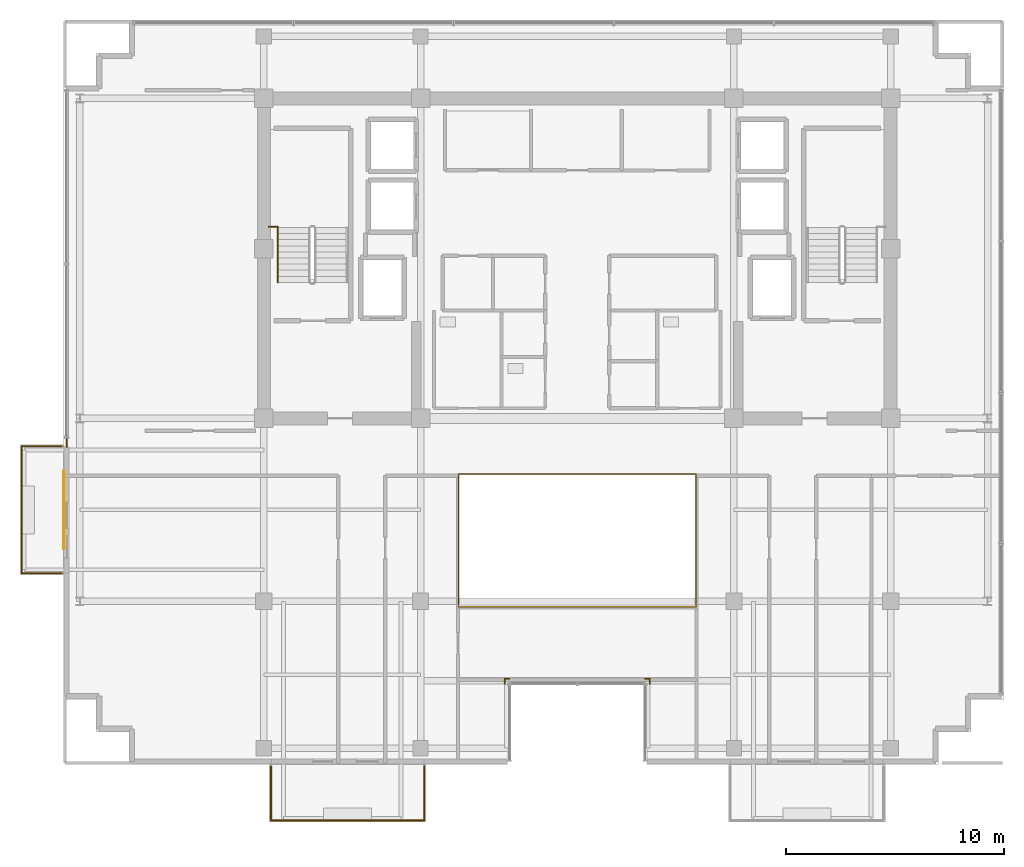
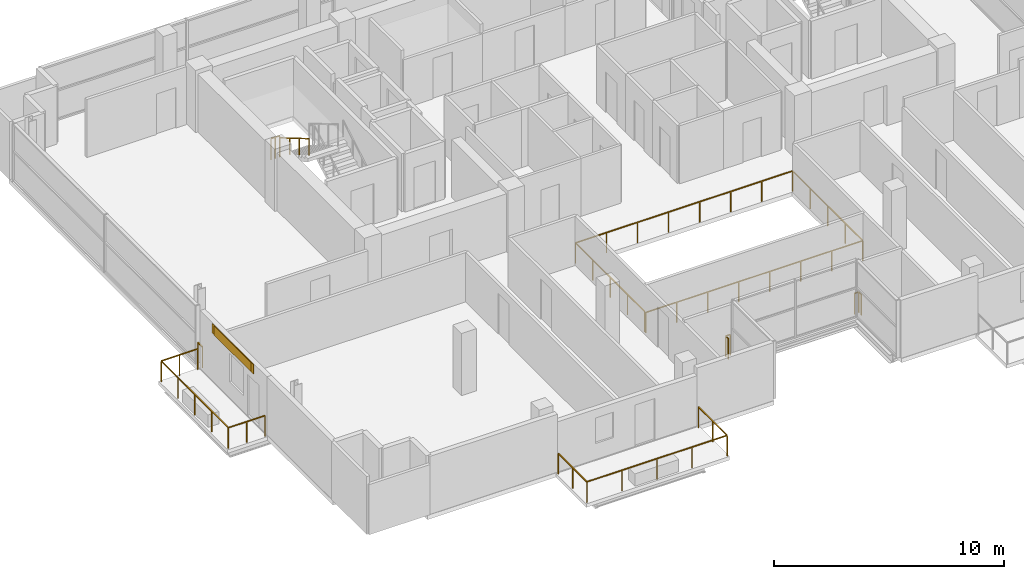
# One storey, part 19 of 22: 10 railings, 1 covering, 1 shading device.
"""IFC4 building model written with IfcOpenShell, lengths in metres."""

from ifc_helpers import new_model, si_unit, direction, frame, origin, origin_2d, place, context, subcontext, project, spatial, rectangle, extrude, source, transform, mapped, material, layer, layer_set, type_object, element, save


model = new_model("IFC4")

# Units and contexts
model_context = context("Model", 3, precision=1e-05, world=origin(), true_north=direction((0.0, 1.0)))
body_context = subcontext(model_context, "Body", "Model", "MODEL_VIEW")
ifc_project = project(units=[si_unit("LENGTHUNIT", "METRE"), si_unit("AREAUNIT", "SQUARE_METRE"), si_unit("VOLUMEUNIT", "CUBIC_METRE"), si_unit("PLANEANGLEUNIT", "RADIAN"), si_unit("MASSUNIT", "GRAM", prefix="KILO")], contexts=[model_context])

# Site, building, storey
site_placement = place(None, origin())
site = spatial("IfcSite", under=ifc_project, at=site_placement, CompositionType="ELEMENT")
building_placement = place(site_placement, origin())
building = spatial("IfcBuilding", under=site, at=building_placement, Name="Zarnakvel Exchange Tower", CompositionType="ELEMENT")
storey_placement = place(building_placement, frame((0.0, 0.0, 228.699951171875)))
storey = spatial("IfcBuildingStorey", under=building, at=storey_placement, Name="L64", CompositionType="ELEMENT", Elevation=228.699951171875)

# Railings
ifc_material_1 = material(Name="Architectural Bronze Anodised Aluminium", Category="aluminium")
railing_type_1 = type_object("IfcRailingType", Name="GR-02", PredefinedType="GUARDRAIL", material=ifc_material_1)
railing_1_placement = place(storey_placement, frame((-14.070068359375, -17.179931640625, -0.034912109375)))
element("IfcRailing", 1, at=railing_1_placement, inside=storey, type_object=railing_type_1, Name="L64 Balcony Guardrail BAL-L64-SW", PredefinedType="GUARDRAIL", context=body_context, shape_type="SweptSolid", body=[
    extrude(rectangle(XDim=0.048095703125, YDim=0.048095703125, at=origin_2d()), frame((0.0, 0.0, 1.09619140625), z_axis=(0.0, -1.0, 0.0), x_axis=(1.0, 0.0, 0.0)), (0.0, 0.0, 1.0), 2.489990234375),
    extrude(rectangle(XDim=0.048095703125, YDim=0.048095703125, at=origin_2d()), frame((0.0, -2.489990234375, 1.09619140625), z_axis=(1.0, 0.0, 0.0), x_axis=(0.0, 1.0, 0.0)), (0.0, 0.0, 1.0), 7.0400390625),
    extrude(rectangle(XDim=0.048095703125, YDim=0.048095703125, at=origin_2d()), frame((7.0400390625, -2.489990234375, 1.09619140625), z_axis=(0.0, 1.0, 0.0), x_axis=(-1.0, 0.0, 0.0)), (0.0, 0.0, 1.0), 2.489990234375),
    extrude(rectangle(XDim=0.0419921875, YDim=0.0419921875, at=origin_2d()), origin(), (0.0, 0.0, 1.0), 1.072021484375),
    extrude(rectangle(XDim=0.0419921875, YDim=0.0419921875, at=origin_2d()), frame((0.0, -1.2451171875, 0.0)), (0.0, 0.0, 1.0), 1.072021484375),
    extrude(rectangle(XDim=0.0419921875, YDim=0.0419921875, at=origin_2d()), frame((0.0, -2.489990234375, 0.0)), (0.0, 0.0, 1.0), 1.072021484375),
    extrude(rectangle(XDim=0.0419921875, YDim=0.0419921875, at=origin_2d()), frame((1.760009765625, -2.489990234375, 0.0)), (0.0, 0.0, 1.0), 1.072021484375),
    extrude(rectangle(XDim=0.0419921875, YDim=0.0419921875, at=origin_2d()), frame((3.52001953125, -2.489990234375, 0.0)), (0.0, 0.0, 1.0), 1.072021484375),
    extrude(rectangle(XDim=0.0419921875, YDim=0.0419921875, at=origin_2d()), frame((5.280029296875, -2.489990234375, 0.0)), (0.0, 0.0, 1.0), 1.072021484375),
    extrude(rectangle(XDim=0.0419921875, YDim=0.0419921875, at=origin_2d()), frame((7.0400390625, -2.489990234375, 0.0)), (0.0, 0.0, 1.0), 1.072021484375),
    extrude(rectangle(XDim=0.0419921875, YDim=0.0419921875, at=origin_2d()), frame((7.0400390625, -1.2451171875, 0.0)), (0.0, 0.0, 1.0), 1.072021484375),
    extrude(rectangle(XDim=0.0419921875, YDim=0.0419921875, at=origin_2d()), frame((7.0400390625, 0.0, 0.0)), (0.0, 0.0, 1.0), 1.072021484375),
])
railing_2_placement = place(storey_placement, frame((-23.679931640625, -8.320068359375, -0.034912109375)))
element("IfcRailing", 2, at=railing_2_placement, inside=storey, type_object=railing_type_1, Name="L64 Balcony Guardrail BAL-L64-W", PredefinedType="GUARDRAIL", context=body_context, shape_type="SweptSolid", body=[
    extrude(rectangle(XDim=0.048095703125, YDim=0.048095703125, at=origin_2d()), frame((0.0, 0.0, 1.09619140625), z_axis=(-1.0, 0.0, 0.0), x_axis=(0.0, -1.0, 0.0)), (0.0, 0.0, 1.0), 1.840087890625),
    extrude(rectangle(XDim=0.048095703125, YDim=0.048095703125, at=origin_2d()), frame((-1.840087890625, 0.0, 1.09619140625), z_axis=(0.0, 1.0, 0.0), x_axis=(-1.0, 0.0, 0.0)), (0.0, 0.0, 1.0), 5.840087890625),
    extrude(rectangle(XDim=0.048095703125, YDim=0.048095703125, at=origin_2d()), frame((-1.840087890625, 5.840087890625, 1.09619140625), z_axis=(1.0, 0.0, 0.0), x_axis=(0.0, 1.0, 0.0)), (0.0, 0.0, 1.0), 1.840087890625),
    extrude(rectangle(XDim=0.0419921875, YDim=0.0419921875, at=origin_2d()), origin(), (0.0, 0.0, 1.0), 1.072021484375),
    extrude(rectangle(XDim=0.0419921875, YDim=0.0419921875, at=origin_2d()), frame((-0.919921875, 0.0, 0.0)), (0.0, 0.0, 1.0), 1.072021484375),
    extrude(rectangle(XDim=0.0419921875, YDim=0.0419921875, at=origin_2d()), frame((-1.840087890625, 0.0, 0.0)), (0.0, 0.0, 1.0), 1.072021484375),
    extrude(rectangle(XDim=0.0419921875, YDim=0.0419921875, at=origin_2d()), frame((-1.840087890625, 1.4599609375, 0.0)), (0.0, 0.0, 1.0), 1.072021484375),
    extrude(rectangle(XDim=0.0419921875, YDim=0.0419921875, at=origin_2d()), frame((-1.840087890625, 2.919921875, 0.0)), (0.0, 0.0, 1.0), 1.072021484375),
    extrude(rectangle(XDim=0.0419921875, YDim=0.0419921875, at=origin_2d()), frame((-1.840087890625, 4.380126953125, 0.0)), (0.0, 0.0, 1.0), 1.072021484375),
    extrude(rectangle(XDim=0.0419921875, YDim=0.0419921875, at=origin_2d()), frame((-1.840087890625, 5.840087890625, 0.0)), (0.0, 0.0, 1.0), 1.072021484375),
    extrude(rectangle(XDim=0.0419921875, YDim=0.0419921875, at=origin_2d()), frame((-0.919921875, 5.840087890625, 0.0)), (0.0, 0.0, 1.0), 1.072021484375),
    extrude(rectangle(XDim=0.0419921875, YDim=0.0419921875, at=origin_2d()), frame((0.0, 5.840087890625, 0.0)), (0.0, 0.0, 1.0), 1.072021484375),
])
railing_3_placement = place(storey_placement, frame((-23.4599609375, -2.5, 0.0)))
element("IfcRailing", 3, at=railing_3_placement, inside=storey, type_object=railing_type_1, Name="L64 Corner Spandrel Balustrade #2", PredefinedType="GUARDRAIL", context=body_context, shape_type="SweptSolid", body=[
    extrude(rectangle(XDim=0.048095703125, YDim=0.048095703125, at=origin_2d()), frame((0.0, 0.0, 1.09619140625), z_axis=(0.0, 1.0, 0.0), x_axis=(-1.0, 0.0, 0.0)), (0.0, 0.0, 1.0), 0.39990234375),
    extrude(rectangle(XDim=0.0419921875, YDim=0.0419921875, at=origin_2d()), origin(), (0.0, 0.0, 1.0), 1.072021484375),
    extrude(rectangle(XDim=0.0419921875, YDim=0.0419921875, at=origin_2d()), frame((0.0, 0.39990234375, 0.0)), (0.0, 0.0, 1.0), 1.072021484375),
])
railing_4_placement = place(storey_placement, frame((3.340087890625, -13.3798828125, 0.0)))
element("IfcRailing", 4, at=railing_4_placement, inside=storey, type_object=railing_type_1, Name="L64 Corner Spandrel Balustrade #17", PredefinedType="GUARDRAIL", context=body_context, shape_type="SweptSolid", body=[
    extrude(rectangle(XDim=0.048095703125, YDim=0.048095703125, at=origin_2d()), frame((0.0, 0.0, 1.09619140625), z_axis=(0.0, 1.0, 0.0), x_axis=(-1.0, 0.0, 0.0)), (0.0, 0.0, 1.0), 0.219970703125),
    extrude(rectangle(XDim=0.0419921875, YDim=0.0419921875, at=origin_2d()), origin(), (0.0, 0.0, 1.0), 1.072021484375),
    extrude(rectangle(XDim=0.0419921875, YDim=0.0419921875, at=origin_2d()), frame((0.0, 0.219970703125, 0.0)), (0.0, 0.0, 1.0), 1.072021484375),
])
for number, where, name in (
    (5, (3.340087890625, -13.159912109375, 0.0), "L64 Corner Spandrel Balustrade #18"),
    (6, (-3.1201171875, -13.159912109375, 0.0), "L64 Corner Spandrel Balustrade #19"),
):
    element("IfcRailing", number, at=place(storey_placement, frame(where)), inside=storey, type_object=railing_type_1, Name=name, PredefinedType="GUARDRAIL", context=body_context, shape_type="SweptSolid", body=[
        extrude(rectangle(XDim=0.048095703125, YDim=0.048095703125, at=origin_2d()), frame((0.0, 0.0, 1.09619140625), z_axis=(-1.0, 0.0, 0.0), x_axis=(0.0, -1.0, 0.0)), (0.0, 0.0, 1.0), 0.219970703125),
        extrude(rectangle(XDim=0.0419921875, YDim=0.0419921875, at=origin_2d()), origin(), (0.0, 0.0, 1.0), 1.072021484375),
        extrude(rectangle(XDim=0.0419921875, YDim=0.0419921875, at=origin_2d()), frame((-0.219970703125, 0.0, 0.0)), (0.0, 0.0, 1.0), 1.072021484375),
    ])
railing_5_placement = place(storey_placement, frame((-3.340087890625, -13.159912109375, 0.0)))
element("IfcRailing", 7, at=railing_5_placement, inside=storey, type_object=railing_type_1, Name="L64 Corner Spandrel Balustrade #20", PredefinedType="GUARDRAIL", context=body_context, shape_type="SweptSolid", body=[
    extrude(rectangle(XDim=0.048095703125, YDim=0.048095703125, at=origin_2d()), frame((0.0, 0.0, 1.09619140625), z_axis=(0.0, -1.0, 0.0), x_axis=(1.0, 0.0, 0.0)), (0.0, 0.0, 1.0), 0.219970703125),
    extrude(rectangle(XDim=0.0419921875, YDim=0.0419921875, at=origin_2d()), origin(), (0.0, 0.0, 1.0), 1.072021484375),
    extrude(rectangle(XDim=0.0419921875, YDim=0.0419921875, at=origin_2d()), frame((0.0, -0.219970703125, 0.0)), (0.0, 0.0, 1.0), 1.072021484375),
])
railing_type_2 = type_object("IfcRailingType", Name="GR-03", PredefinedType="GUARDRAIL", material=ifc_material_1)
railing_6_placement = place(storey_placement, frame((-5.449951171875, -9.85009765625, 0.0)))
element("IfcRailing", 8, at=railing_6_placement, inside=storey, type_object=railing_type_2, Name="L64 Atrium Void Perimeter Balustrade", PredefinedType="GUARDRAIL", context=body_context, shape_type="SweptSolid", body=[
    extrude(rectangle(XDim=0.048095703125, YDim=0.048095703125, at=origin_2d()), frame((0.0, 0.0, 1.076171875), z_axis=(1.0, 0.0, 0.0), x_axis=(0.0, 1.0, 0.0)), (0.0, 0.0, 1.0), 10.89990234375),
    extrude(rectangle(XDim=0.048095703125, YDim=0.048095703125, at=origin_2d()), frame((10.89990234375, 0.0, 1.076171875), z_axis=(0.0, 1.0, 0.0), x_axis=(-1.0, 0.0, 0.0)), (0.0, 0.0, 1.0), 6.10009765625),
    extrude(rectangle(XDim=0.048095703125, YDim=0.048095703125, at=origin_2d()), frame((10.89990234375, 6.10009765625, 1.076171875), z_axis=(-1.0, 0.0, 0.0), x_axis=(0.0, -1.0, 0.0)), (0.0, 0.0, 1.0), 10.89990234375),
    extrude(rectangle(XDim=0.048095703125, YDim=0.048095703125, at=origin_2d()), frame((0.0, 6.10009765625, 1.076171875), z_axis=(0.0, -1.0, 0.0), x_axis=(1.0, 0.0, 0.0)), (0.0, 0.0, 1.0), 6.02001953125),
    extrude(rectangle(XDim=0.0419921875, YDim=0.0419921875, at=origin_2d()), origin(), (0.0, 0.0, 1.0), 1.052001953125),
    extrude(rectangle(XDim=0.0419921875, YDim=0.0419921875, at=origin_2d()), frame((1.55712890625, 0.0, 0.0)), (0.0, 0.0, 1.0), 1.052001953125),
    extrude(rectangle(XDim=0.0419921875, YDim=0.0419921875, at=origin_2d()), frame((3.1142578125, 0.0, 0.0)), (0.0, 0.0, 1.0), 1.052001953125),
    extrude(rectangle(XDim=0.0419921875, YDim=0.0419921875, at=origin_2d()), frame((4.67138671875, 0.0, 0.0)), (0.0, 0.0, 1.0), 1.052001953125),
    extrude(rectangle(XDim=0.0419921875, YDim=0.0419921875, at=origin_2d()), frame((6.228515625, 0.0, 0.0)), (0.0, 0.0, 1.0), 1.052001953125),
    extrude(rectangle(XDim=0.0419921875, YDim=0.0419921875, at=origin_2d()), frame((7.78564453125, 0.0, 0.0)), (0.0, 0.0, 1.0), 1.052001953125),
    extrude(rectangle(XDim=0.0419921875, YDim=0.0419921875, at=origin_2d()), frame((9.3427734375, 0.0, 0.0)), (0.0, 0.0, 1.0), 1.052001953125),
    extrude(rectangle(XDim=0.0419921875, YDim=0.0419921875, at=origin_2d()), frame((10.89990234375, 0.0, 0.0)), (0.0, 0.0, 1.0), 1.052001953125),
    extrude(rectangle(XDim=0.0419921875, YDim=0.0419921875, at=origin_2d()), frame((10.89990234375, 1.52490234375, 0.0)), (0.0, 0.0, 1.0), 1.052001953125),
    extrude(rectangle(XDim=0.0419921875, YDim=0.0419921875, at=origin_2d()), frame((10.89990234375, 3.050048828125, 0.0)), (0.0, 0.0, 1.0), 1.052001953125),
    extrude(rectangle(XDim=0.0419921875, YDim=0.0419921875, at=origin_2d()), frame((10.89990234375, 4.5751953125, 0.0)), (0.0, 0.0, 1.0), 1.052001953125),
    extrude(rectangle(XDim=0.0419921875, YDim=0.0419921875, at=origin_2d()), frame((10.89990234375, 6.10009765625, 0.0)), (0.0, 0.0, 1.0), 1.052001953125),
    extrude(rectangle(XDim=0.0419921875, YDim=0.0419921875, at=origin_2d()), frame((9.3427734375, 6.10009765625, 0.0)), (0.0, 0.0, 1.0), 1.052001953125),
    extrude(rectangle(XDim=0.0419921875, YDim=0.0419921875, at=origin_2d()), frame((7.78564453125, 6.10009765625, 0.0)), (0.0, 0.0, 1.0), 1.052001953125),
    extrude(rectangle(XDim=0.0419921875, YDim=0.0419921875, at=origin_2d()), frame((6.228515625, 6.10009765625, 0.0)), (0.0, 0.0, 1.0), 1.052001953125),
    extrude(rectangle(XDim=0.0419921875, YDim=0.0419921875, at=origin_2d()), frame((4.67138671875, 6.10009765625, 0.0)), (0.0, 0.0, 1.0), 1.052001953125),
    extrude(rectangle(XDim=0.0419921875, YDim=0.0419921875, at=origin_2d()), frame((3.1142578125, 6.10009765625, 0.0)), (0.0, 0.0, 1.0), 1.052001953125),
    extrude(rectangle(XDim=0.0419921875, YDim=0.0419921875, at=origin_2d()), frame((1.55712890625, 6.10009765625, 0.0)), (0.0, 0.0, 1.0), 1.052001953125),
    extrude(rectangle(XDim=0.0419921875, YDim=0.0419921875, at=origin_2d()), frame((0.0, 6.10009765625, 0.0)), (0.0, 0.0, 1.0), 1.052001953125),
    extrude(rectangle(XDim=0.0419921875, YDim=0.0419921875, at=origin_2d()), frame((0.0, 4.59521484375, 0.0)), (0.0, 0.0, 1.0), 1.052001953125),
    extrude(rectangle(XDim=0.0419921875, YDim=0.0419921875, at=origin_2d()), frame((0.0, 3.090087890625, 0.0)), (0.0, 0.0, 1.0), 1.052001953125),
    extrude(rectangle(XDim=0.0419921875, YDim=0.0419921875, at=origin_2d()), frame((0.0, 1.5849609375, 0.0)), (0.0, 0.0, 1.0), 1.052001953125),
    extrude(rectangle(XDim=0.0419921875, YDim=0.0419921875, at=origin_2d()), frame((0.0, 0.080078125, 0.0)), (0.0, 0.0, 1.0), 1.052001953125),
])
ifc_material_2 = material(Name="Brushed Stainless Steel", Category="steel")
railing_type_3 = type_object("IfcRailingType", Name="HR-01", PredefinedType="HANDRAIL", material=ifc_material_2)
railing_7_placement = place(storey_placement, frame((-13.75, 7.570068359375, 1.81494140625)))
element("IfcRailing", 9, at=railing_7_placement, inside=storey, type_object=railing_type_3, Name="L64 ST-01 stair handrail 2", PredefinedType="HANDRAIL", context=body_context, shape_type="SweptSolid", body=[
    extrude(rectangle(XDim=0.048095703125, YDim=0.048095703125, at=origin_2d()), frame((0.0, 0.0, 0.8759765625), z_axis=(0.0, -0.86152411907, 0.507716645641), x_axis=(1.0, 0.0, 0.0)), (0.0, 0.0, 1.0), 2.925048828125),
    extrude(rectangle(XDim=0.0419921875, YDim=0.0419921875, at=origin_2d()), origin(), (0.0, 0.0, 1.0), 0.851806640625),
    extrude(rectangle(XDim=0.0419921875, YDim=0.0419921875, at=origin_2d()), frame((0.0, -0.840087890625, 0.4951171875)), (0.0, 0.0, 1.0), 0.851806640625),
    extrude(rectangle(XDim=0.0419921875, YDim=0.0419921875, at=origin_2d()), frame((0.0, -1.679931640625, 0.989990234375)), (0.0, 0.0, 1.0), 0.851806640625),
    extrude(rectangle(XDim=0.0419921875, YDim=0.0419921875, at=origin_2d()), frame((0.0, -2.52001953125, 1.485107421875)), (0.0, 0.0, 1.0), 0.851806640625),
])
railing_type_4 = type_object("IfcRailingType", Name="SG-01", PredefinedType="GUARDRAIL", material=ifc_material_1)
railing_8_placement = place(storey_placement, frame((-14.179931640625, 7.610107421875, 1.650146484375)))
element("IfcRailing", 10, at=railing_8_placement, inside=storey, type_object=railing_type_4, Name="L64 ST-01 Landing Slot Guardrail", PredefinedType="GUARDRAIL", context=body_context, shape_type="SweptSolid", body=[
    extrude(rectangle(XDim=0.048095703125, YDim=0.048095703125, at=origin_2d()), frame((0.0, 0.0, 1.1259765625), z_axis=(1.0, 0.0, 0.0), x_axis=(0.0, 1.0, 0.0)), (0.0, 0.0, 1.0), 0.429931640625),
    extrude(rectangle(XDim=0.0419921875, YDim=0.0419921875, at=origin_2d()), origin(), (0.0, 0.0, 1.0), 1.101806640625),
    extrude(rectangle(XDim=0.0419921875, YDim=0.0419921875, at=origin_2d()), frame((0.21484375, 0.0, 0.0)), (0.0, 0.0, 1.0), 1.101806640625),
    extrude(rectangle(XDim=0.0419921875, YDim=0.0419921875, at=origin_2d()), frame((0.429931640625, 0.0, 0.0)), (0.0, 0.0, 1.0), 1.101806640625),
])

# Covering
ifc_material_3 = material(Name="Warm Sandstone Terracotta Spandrel Tile", Category="masonry")
ifc_layer_1 = layer(ifc_material_3, 0.031982421875)
ifc_layer_set_1 = layer_set([ifc_layer_1], Name="Warm Sandstone Terracotta Spandrel Tile")
covering_type = type_object("IfcCoveringType", Name="CL-02", PredefinedType="CLADDING", material=ifc_layer_set_1)
shared_shape_1 = source(origin(), body_context, "Body", "SweptSolid", [
    extrude(rectangle(XDim=3.60009765625, YDim=0.031982421875, at=origin_2d()), origin(), (0.0, 0.0, 1.0), 0.4951171875),
])
covering_placement = place(storey_placement, frame((-23.593994140625, -5.39990234375, 2.56005859375), z_axis=(0.0, 0.0, 1.0), x_axis=(0.0, 1.0, 0.0)))
element("IfcCovering", 11, at=covering_placement, inside=storey, type_object=covering_type, Name="L64 Ceramic Spandrel Tilework CL-02", PredefinedType="CLADDING", context=body_context, shape_type="MappedRepresentation", body=[
    mapped(shared_shape_1, transform((0.0, 0.0, 0.0), x_axis=(1.0, 0.0, 0.0), y_axis=(0.0, 1.0, 0.0), z_axis=(0.0, 0.0, 1.0), scale=1.0)),
])

# Shading device
ifc_material_4 = material(Name="Perforated Architectural Bronze Screen", Category="aluminium")
ifc_layer_2 = layer(ifc_material_4, 0.044921875)
ifc_layer_set_2 = layer_set([ifc_layer_2], Name="Perforated Architectural Bronze Screen")
shading_device_type = type_object("IfcShadingDeviceType", Name="SS-01", PredefinedType="JALOUSIE", material=ifc_layer_set_2)
shared_shape_2 = source(origin(), body_context, "Body", "SweptSolid", [
    extrude(rectangle(XDim=3.199951171875, YDim=0.044921875, at=origin_2d()), origin(), (0.0, 0.0, 1.0), 0.4951171875),
])
shading_device_placement = place(storey_placement, frame((-23.6005859375, -5.39990234375, 2.56005859375), z_axis=(0.0, 0.0, 1.0), x_axis=(0.0, 1.0, 0.0)))
element("IfcShadingDevice", 12, at=shading_device_placement, inside=storey, type_object=shading_device_type, Name="L64 Bronze Solar Shading Screen SS-01", PredefinedType="JALOUSIE", context=body_context, shape_type="MappedRepresentation", body=[
    mapped(shared_shape_2, transform((0.0, 0.0, 0.0), x_axis=(1.0, 0.0, 0.0), y_axis=(0.0, 1.0, 0.0), z_axis=(0.0, 0.0, 1.0), scale=1.0)),
])

save(model, "model.ifc")
